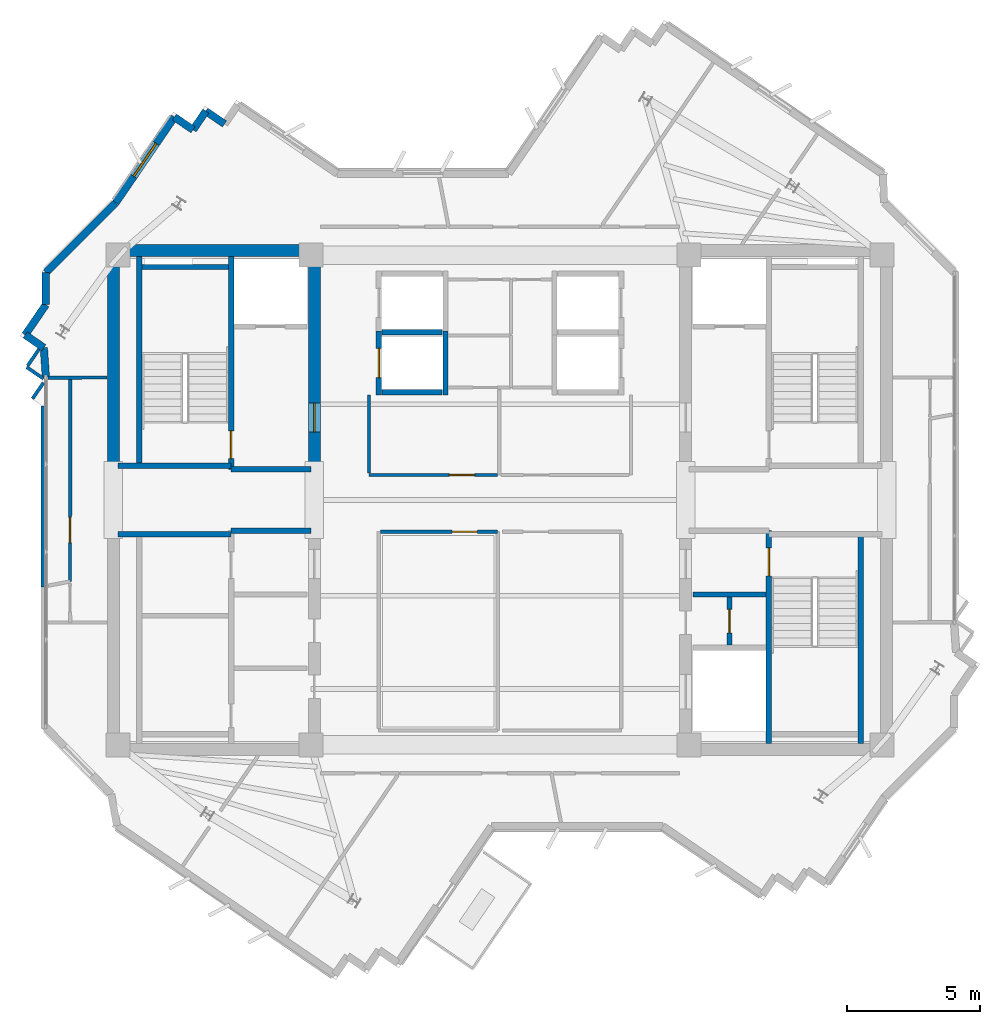
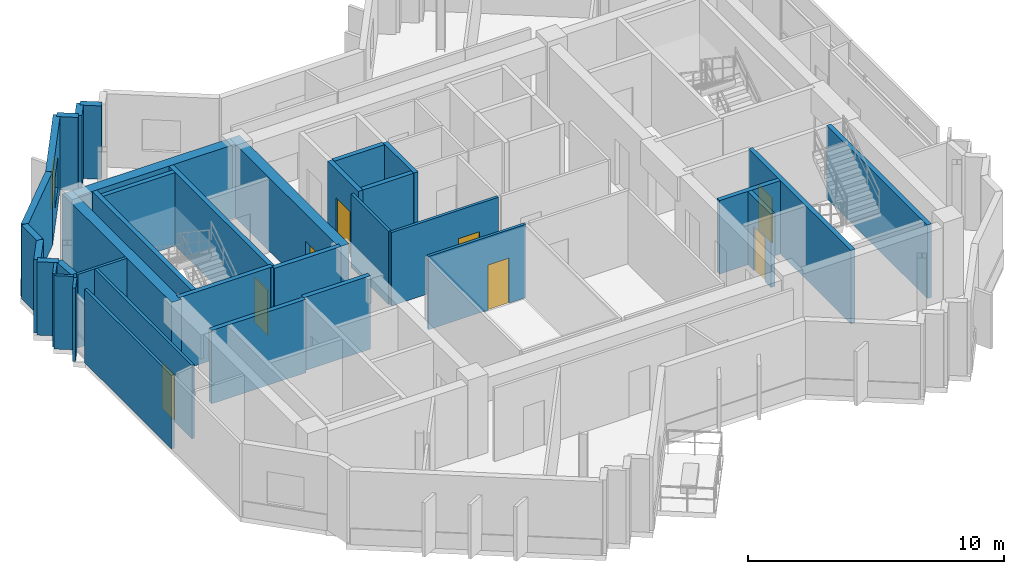
# One storey, part 6 of 11: 36 walls, 8 doors, 1 window, 9 openings.
"""IFC4 building model written with IfcOpenShell, lengths in metres."""

from ifc_helpers import new_model, si_unit, direction, frame, frame_2d, origin, place, context, subcontext, project, spatial, rectangle, extrude, source, transform, mapped, material, layer, layer_set, type_object, element, fill, save


model = new_model("IFC4")

# Units and contexts
model_context = context("Model", 3, precision=1e-05, world=origin(), true_north=direction((0.0, 1.0)))
body_context = subcontext(model_context, "Body", "Model", "MODEL_VIEW")
ifc_project = project(units=[si_unit("LENGTHUNIT", "METRE"), si_unit("AREAUNIT", "SQUARE_METRE"), si_unit("VOLUMEUNIT", "CUBIC_METRE"), si_unit("PLANEANGLEUNIT", "RADIAN"), si_unit("MASSUNIT", "GRAM", prefix="KILO")], contexts=[model_context])

# Site, building, storey
site_placement = place(None, origin())
site = spatial("IfcSite", under=ifc_project, at=site_placement, CompositionType="ELEMENT")
building_placement = place(site_placement, origin())
building = spatial("IfcBuilding", under=site, at=building_placement, Name="Zahravan Cultural Tower", CompositionType="ELEMENT")
storey_placement = place(building_placement, frame((0.0, 0.0, 338.550048828125)))
storey = spatial("IfcBuildingStorey", under=building, at=storey_placement, Name="L82", CompositionType="ELEMENT", Elevation=338.550048828125)

# Wall, opening, door
ifc_material_1 = material(Name="Concrete C50/60", Category="concrete")
ifc_layer_1 = layer(ifc_material_1, 0.449951171875)
ifc_layer_set_1 = layer_set([ifc_layer_1], Name="Concrete C50/60")
wall_type_1 = type_object("IfcWallType", Name="CW-SHEAR-450-C50", PredefinedType="SHEAR", material=ifc_layer_set_1)
wall_1_placement = place(storey_placement, frame((29.02490234375, 28.050048828125, 0.0), z_axis=(0.0, 0.0, 1.0), x_axis=(0.0, 1.0, 0.0)))
wall_1 = element("IfcWall", 1, at=wall_1_placement, inside=storey, type_object=wall_type_1, Name="L82 Core Shear Wall CW-W-EN-L82", PredefinedType="SHEAR", context=body_context, shape_type="SweptSolid", body=[
    extrude(rectangle(XDim=8.550048828125, YDim=0.449951171875, at=frame_2d((4.27490234375, 0.0))), origin(), (0.0, 0.0, 1.0), 3.5),
])
opening_1_placement = place(wall_1_placement, frame((1.5, 0.0, 0.0)))
opening_1 = element("IfcOpeningElement", 2, at=opening_1_placement, cuts=wall_1, Name="Opening D-L82-06", PredefinedType="OPENING", context=body_context, shape_type="SweptSolid", body=[
    extrude(rectangle(XDim=1.10009765625, YDim=2.199951171875, at=frame_2d((0.550048828125, 1.10009765625))), frame((0.0, 0.23486328125, 0.0), z_axis=(0.0, -1.0, 0.0), x_axis=(1.0, 0.0, 0.0)), (0.0, 0.0, 1.0), 0.469970703125),
])
ifc_material_2 = material(Name="Steel ASTM A572 Grade 50", Category="steel")
door_type_1 = type_object("IfcDoorType", Name="DR-LOBBY-1100", OperationType="NOTDEFINED", PredefinedType="DOOR", material=ifc_material_2)
shared_shape_1 = source(origin(), body_context, "Body", "SweptSolid", [
    extrude(rectangle(XDim=1.10009765625, YDim=2.199951171875, at=frame_2d((0.550048828125, 1.10009765625))), frame((0.0, 0.02490234375, 0.0), z_axis=(0.0, -1.0, 0.0), x_axis=(1.0, 0.0, 0.0)), (0.0, 0.0, 1.0), 0.050048828125),
])
door_1_placement = place(opening_1_placement, origin())
door_1 = element("IfcDoor", 3, at=door_1_placement, inside=storey, type_object=door_type_1, Name="L82 Door D-L82-06", OperationType="SINGLE_SWING_LEFT", OverallHeight=2.199951171875, OverallWidth=1.10009765625, PredefinedType="DOOR", context=body_context, shape_type="MappedRepresentation", body=[
    mapped(shared_shape_1, transform((0.0, 0.0, 0.0), x_axis=(1.0, 0.0, 0.0), y_axis=(0.0, 1.0, 0.0), z_axis=(0.0, 0.0, 1.0), scale=1.0)),
])
fill(opening_1, door_1)

# Wall, opening, window
ifc_material_3 = material(Name="Precast concrete C40/50", Category="concrete")
ifc_layer_2 = layer(ifc_material_3, 0.280029296875)
ifc_layer_set_2 = layer_set([ifc_layer_2], Name="Precast concrete C40/50")
wall_type_2 = type_object("IfcWallType", Name="EW-TC-280", PredefinedType="SOLIDWALL", material=ifc_layer_set_2)
wall_2_placement = place(storey_placement, frame((21.56298828125, 38.1650390625, 0.0), z_axis=(0.0, 0.0, 1.0), x_axis=(0.564961879511, 0.825117006672, 0.0)))
wall_2 = element("IfcWall", 4, at=wall_2_placement, inside=storey, type_object=wall_type_2, Name="L82 Exterior Masonry Frame Wall 07", PredefinedType="SOLIDWALL", context=body_context, shape_type="SweptSolid", body=[
    extrude(rectangle(XDim=3.90380859375, YDim=0.280029296875, at=frame_2d((1.951904296875, 0.0))), origin(), (0.0, 0.0, 1.0), 3.5),
])
opening_2_placement = place(wall_2_placement, frame((1.201904296875, 0.0, 0.85009765625)))
opening_2 = element("IfcOpeningElement", 5, at=opening_2_placement, cuts=wall_2, Name="Opening WN-03", PredefinedType="OPENING", context=body_context, shape_type="SweptSolid", body=[
    extrude(rectangle(XDim=1.5, YDim=1.5, at=frame_2d((0.75, 0.75))), frame((0.0, 0.14990234375, 0.0), z_axis=(0.0, -1.0, 0.0), x_axis=(1.0, 0.0, 0.0)), (0.0, 0.0, 1.0), 0.300048828125),
])
ifc_material_4 = material(Name="Low-E solar-control double glazing", Category="glass")
window_type = type_object("IfcWindowType", Name="WN-REC-1500X1500", PartitioningType="SINGLE_PANEL", PredefinedType="WINDOW", material=ifc_material_4)
shared_shape_2 = source(origin(), body_context, "Body", "SweptSolid", [
    extrude(rectangle(XDim=1.5, YDim=1.5, at=frame_2d((0.75, 0.75))), frame((0.0, 0.030029296875, 0.0), z_axis=(0.0, -1.0, 0.0), x_axis=(1.0, 0.0, 0.0)), (0.0, 0.0, 1.0), 0.06005859375),
])
window_placement = place(opening_2_placement, origin())
window = element("IfcWindow", 6, at=window_placement, inside=storey, type_object=window_type, Name="L82 Recessed Solar Window 02", OverallHeight=1.5, OverallWidth=1.5, PartitioningType="SINGLE_PANEL", PredefinedType="WINDOW", context=body_context, shape_type="MappedRepresentation", body=[
    mapped(shared_shape_2, transform((0.0, 0.0, 0.0), x_axis=(1.0, 0.0, 0.0), y_axis=(0.0, 1.0, 0.0), z_axis=(0.0, 0.0, 1.0), scale=1.0)),
])
fill(opening_2, window)

# Wall, opening, door
ifc_material_5 = material(Name="Gypsum plasterboard partition")
ifc_layer_3 = layer(ifc_material_5, 0.179931640625)
ifc_layer_set_3 = layer_set([ifc_layer_3], Name="Gypsum plasterboard partition")
wall_type_3 = type_object("IfcWallType", Name="W-COMP-180", PredefinedType="PARTITIONING", material=ifc_layer_set_3)
wall_3_placement = place(storey_placement, frame((44.6201171875, 21.550048828125, 0.0), z_axis=(0.0, 0.0, 1.0), x_axis=(0.0, 1.0, 0.0)))
wall_3 = element("IfcWall", 7, at=wall_3_placement, inside=storey, type_object=wall_type_3, Name="L82 Interior Wall 028", PredefinedType="PARTITIONING", context=body_context, shape_type="SweptSolid", body=[
    extrude(rectangle(XDim=1.800048828125, YDim=0.179931640625, at=frame_2d((0.89990234375, 0.0))), origin(), (0.0, 0.0, 1.0), 3.5),
])
opening_3_placement = place(wall_3_placement, frame((0.4599609375, 0.0, 0.0)))
opening_3 = element("IfcOpeningElement", 8, at=opening_3_placement, cuts=wall_3, Name="Opening D-L82-13", PredefinedType="OPENING", context=body_context, shape_type="SweptSolid", body=[
    extrude(rectangle(XDim=0.8798828125, YDim=2.10009765625, at=frame_2d((0.43994140625, 1.050048828125))), frame((0.0, 0.099853515625, 0.0), z_axis=(0.0, -1.0, 0.0), x_axis=(1.0, 0.0, 0.0)), (0.0, 0.0, 1.0), 0.199951171875),
])
door_type_2 = type_object("IfcDoorType", Name="DR-SVC-880", OperationType="NOTDEFINED", PredefinedType="DOOR", material=ifc_material_2)
shared_shape_3 = source(origin(), body_context, "Body", "SweptSolid", [
    extrude(rectangle(XDim=0.8798828125, YDim=2.10009765625, at=frame_2d((0.43994140625, 1.050048828125))), frame((0.0, 0.02490234375, 0.0), z_axis=(0.0, -1.0, 0.0), x_axis=(1.0, 0.0, 0.0)), (0.0, 0.0, 1.0), 0.050048828125),
])
door_2_placement = place(opening_3_placement, origin())
door_2 = element("IfcDoor", 9, at=door_2_placement, inside=storey, type_object=door_type_2, Name="L82 Door D-L82-13", OperationType="SINGLE_SWING_RIGHT", OverallHeight=2.10009765625, OverallWidth=0.8798828125, PredefinedType="DOOR", context=body_context, shape_type="MappedRepresentation", body=[
    mapped(shared_shape_3, transform((0.0, 0.0, 0.0), x_axis=(1.0, 0.0, 0.0), y_axis=(0.0, 1.0, 0.0), z_axis=(0.0, 0.0, 1.0), scale=1.0)),
])
fill(opening_3, door_2)

ifc_layer_4 = layer(ifc_material_5, 0.125)
ifc_layer_set_4 = layer_set([ifc_layer_4], Name="Gypsum plasterboard partition")
wall_type_4 = type_object("IfcWallType", Name="W-PART-125", PredefinedType="PARTITIONING", material=ifc_layer_set_4)
wall_4_placement = place(storey_placement, frame((35.902587890625, 27.93994140625, 0.0), z_axis=(0.0, 0.0, 1.0), x_axis=(-1.0, 0.0, 0.0)))
wall_4 = element("IfcWall", 10, at=wall_4_placement, inside=storey, type_object=wall_type_4, Name="L82 Interior Wall 051", PredefinedType="PARTITIONING", context=body_context, shape_type="SweptSolid", body=[
    extrude(rectangle(XDim=4.822509765625, YDim=0.125, at=frame_2d((2.4111328125, 0.0))), origin(), (0.0, 0.0, 1.0), 3.5),
])
opening_4_placement = place(wall_4_placement, frame((0.85205078125, 0.0, 0.0)))
opening_4 = element("IfcOpeningElement", 11, at=opening_4_placement, cuts=wall_4, Name="Opening D-L82-18", PredefinedType="OPENING", context=body_context, shape_type="SweptSolid", body=[
    extrude(rectangle(XDim=0.949951171875, YDim=2.14990234375, at=frame_2d((0.47509765625, 1.074951171875))), frame((0.0, 0.072509765625, 0.0), z_axis=(0.0, -1.0, 0.0), x_axis=(1.0, 0.0, 0.0)), (0.0, 0.0, 1.0), 0.14501953125),
])
ifc_material_6 = material(Name="Anodised bronze-aluminium mullion", Category="aluminium")
door_type_3 = type_object("IfcDoorType", Name="DR-ROOM-950", OperationType="NOTDEFINED", PredefinedType="DOOR", material=ifc_material_6)
shared_shape_4 = source(origin(), body_context, "Body", "SweptSolid", [
    extrude(rectangle(XDim=0.949951171875, YDim=2.14990234375, at=frame_2d((0.47509765625, 1.074951171875))), frame((0.0, 0.02490234375, 0.0), z_axis=(0.0, -1.0, 0.0), x_axis=(1.0, 0.0, 0.0)), (0.0, 0.0, 1.0), 0.050048828125),
])
door_3_placement = place(opening_4_placement, origin())
door_3 = element("IfcDoor", 12, at=door_3_placement, inside=storey, type_object=door_type_3, Name="L82 Door D-L82-18", OperationType="SINGLE_SWING_LEFT", OverallHeight=2.14990234375, OverallWidth=0.949951171875, PredefinedType="DOOR", context=body_context, shape_type="MappedRepresentation", body=[
    mapped(shared_shape_4, transform((0.0, 0.0, 0.0), x_axis=(1.0, 0.0, 0.0), y_axis=(0.0, 1.0, 0.0), z_axis=(0.0, 0.0, 1.0), scale=1.0)),
])
fill(opening_4, door_3)

wall_5_placement = place(storey_placement, frame((19.8525390625, 31.530029296875, 0.0), z_axis=(0.0, 0.0, 1.0), x_axis=(-0.000321574412, -0.999999948295, 0.0)))
wall_5 = element("IfcWall", 13, at=wall_5_placement, inside=storey, type_object=wall_type_4, Name="L82 Interior Wall 063", PredefinedType="PARTITIONING", context=body_context, shape_type="SweptSolid", body=[
    extrude(rectangle(XDim=7.592041015625, YDim=0.125, at=frame_2d((3.7958984375, 0.0))), origin(), (0.0, 0.0, 1.0), 3.5),
])
opening_5_placement = place(wall_5_placement, frame((5.180908203125, 0.0, 0.0)))
opening_5 = element("IfcOpeningElement", 14, at=opening_5_placement, cuts=wall_5, Name="Opening D-L82-24", PredefinedType="OPENING", context=body_context, shape_type="SweptSolid", body=[
    extrude(rectangle(XDim=0.949951171875, YDim=2.14990234375, at=frame_2d((0.47509765625, 1.074951171875))), frame((0.0, 0.072509765625, 0.0), z_axis=(0.0, -1.0, 0.0), x_axis=(1.0, 0.0, 0.0)), (0.0, 0.0, 1.0), 0.14501953125),
])
door_4_placement = place(opening_5_placement, origin())
door_4 = element("IfcDoor", 15, at=door_4_placement, inside=storey, type_object=door_type_3, Name="L82 Door D-L82-24", OperationType="SINGLE_SWING_LEFT", OverallHeight=2.14990234375, OverallWidth=0.949951171875, PredefinedType="DOOR", context=body_context, shape_type="MappedRepresentation", body=[
    mapped(shared_shape_4, transform((0.0, 0.0, 0.0), x_axis=(1.0, 0.0, 0.0), y_axis=(0.0, 1.0, 0.0), z_axis=(0.0, 0.0, 1.0), scale=1.0)),
])
fill(opening_5, door_4)

wall_6_placement = place(storey_placement, frame((31.507568359375, 25.81005859375, 0.0), z_axis=(0.0, 0.0, 1.0), x_axis=(1.0, 0.0, 0.0)))
wall_6 = element("IfcWall", 16, at=wall_6_placement, inside=storey, type_object=wall_type_4, Name="L82 Interior Wall 085", PredefinedType="PARTITIONING", context=body_context, shape_type="SweptSolid", body=[
    extrude(rectangle(XDim=4.40234375, YDim=0.125, at=frame_2d((2.201171875, 0.0))), origin(), (0.0, 0.0, 1.0), 3.5),
])
opening_6_placement = place(wall_6_placement, frame((2.69287109375, 0.0, 0.0)))
opening_6 = element("IfcOpeningElement", 17, at=opening_6_placement, cuts=wall_6, Name="Opening D-L82-14", PredefinedType="OPENING", context=body_context, shape_type="SweptSolid", body=[
    extrude(rectangle(XDim=0.949951171875, YDim=2.14990234375, at=frame_2d((0.47509765625, 1.074951171875))), frame((0.0, 0.072509765625, 0.0), z_axis=(0.0, -1.0, 0.0), x_axis=(1.0, 0.0, 0.0)), (0.0, 0.0, 1.0), 0.14501953125),
])
door_5_placement = place(opening_6_placement, origin())
door_5 = element("IfcDoor", 18, at=door_5_placement, inside=storey, type_object=door_type_3, Name="L82 Door D-L82-14", OperationType="SINGLE_SWING_LEFT", OverallHeight=2.14990234375, OverallWidth=0.949951171875, PredefinedType="DOOR", context=body_context, shape_type="MappedRepresentation", body=[
    mapped(shared_shape_4, transform((0.0, 0.0, 0.0), x_axis=(1.0, 0.0, 0.0), y_axis=(0.0, 1.0, 0.0), z_axis=(0.0, 0.0, 1.0), scale=1.0)),
])
fill(opening_6, door_5)

ifc_material_7 = material(Name="Concrete C45/55", Category="concrete")
ifc_layer_5 = layer(ifc_material_7, 0.199951171875)
ifc_layer_set_5 = layer_set([ifc_layer_5], Name="Concrete C45/55")
wall_type_5 = type_object("IfcWallType", Name="W-SHAFT-200", PredefinedType="SOLIDWALL", material=ifc_layer_set_5)
wall_7_placement = place(storey_placement, frame((25.89990234375, 28.14990234375, 0.0), z_axis=(0.0, 0.0, 1.0), x_axis=(0.0, 1.0, 0.0)))
wall_7 = element("IfcWall", 19, at=wall_7_placement, inside=storey, type_object=wall_type_5, Name="L82 Interior Wall 006", PredefinedType="SOLIDWALL", context=body_context, shape_type="SweptSolid", body=[
    extrude(rectangle(XDim=8.0, YDim=0.199951171875, at=frame_2d((4.0, 0.0))), origin(), (0.0, 0.0, 1.0), 3.5),
])
opening_7_placement = place(wall_7_placement, frame((0.39990234375, 0.0, 0.0)))
opening_7 = element("IfcOpeningElement", 20, at=opening_7_placement, cuts=wall_7, Name="Opening D-L82-01", PredefinedType="OPENING", context=body_context, shape_type="SweptSolid", body=[
    extrude(rectangle(XDim=1.050048828125, YDim=2.14990234375, at=frame_2d((0.52490234375, 1.074951171875))), frame((0.0, 0.10986328125, 0.0), z_axis=(0.0, -1.0, 0.0), x_axis=(1.0, 0.0, 0.0)), (0.0, 0.0, 1.0), 0.219970703125),
])
door_type_4 = type_object("IfcDoorType", Name="DR-STAIR-1050", OperationType="NOTDEFINED", PredefinedType="DOOR", material=ifc_material_2)
shared_shape_5 = source(origin(), body_context, "Body", "SweptSolid", [
    extrude(rectangle(XDim=1.050048828125, YDim=2.14990234375, at=frame_2d((0.52490234375, 1.074951171875))), frame((0.0, 0.02490234375, 0.0), z_axis=(0.0, -1.0, 0.0), x_axis=(1.0, 0.0, 0.0)), (0.0, 0.0, 1.0), 0.050048828125),
])
door_6_placement = place(opening_7_placement, origin())
door_6 = element("IfcDoor", 21, at=door_6_placement, inside=storey, type_object=door_type_4, Name="L82 Door D-L82-01", OperationType="SINGLE_SWING_RIGHT", OverallHeight=2.14990234375, OverallWidth=1.050048828125, PredefinedType="DOOR", context=body_context, shape_type="MappedRepresentation", body=[
    mapped(shared_shape_5, transform((0.0, 0.0, 0.0), x_axis=(1.0, 0.0, 0.0), y_axis=(0.0, 1.0, 0.0), z_axis=(0.0, 0.0, 1.0), scale=1.0)),
])
fill(opening_7, door_6)

wall_8_placement = place(storey_placement, frame((46.10009765625, 17.85009765625, 0.0), z_axis=(0.0, 0.0, 1.0), x_axis=(0.0, 1.0, 0.0)))
wall_8 = element("IfcWall", 22, at=wall_8_placement, inside=storey, type_object=wall_type_5, Name="L82 Interior Wall 007", PredefinedType="SOLIDWALL", context=body_context, shape_type="SweptSolid", body=[
    extrude(rectangle(XDim=8.0, YDim=0.199951171875, at=frame_2d((4.0, 0.0))), origin(), (0.0, 0.0, 1.0), 3.5),
])
opening_8_placement = place(wall_8_placement, frame((6.300048828125, 0.0, 0.0)))
opening_8 = element("IfcOpeningElement", 23, at=opening_8_placement, cuts=wall_8, Name="Opening D-L82-03", PredefinedType="OPENING", context=body_context, shape_type="SweptSolid", body=[
    extrude(rectangle(XDim=1.050048828125, YDim=2.14990234375, at=frame_2d((0.52490234375, 1.074951171875))), frame((0.0, 0.10986328125, 0.0), z_axis=(0.0, -1.0, 0.0), x_axis=(1.0, 0.0, 0.0)), (0.0, 0.0, 1.0), 0.219970703125),
])
door_7_placement = place(opening_8_placement, origin())
door_7 = element("IfcDoor", 24, at=door_7_placement, inside=storey, type_object=door_type_4, Name="L82 Door D-L82-03", OperationType="SINGLE_SWING_RIGHT", OverallHeight=2.14990234375, OverallWidth=1.050048828125, PredefinedType="DOOR", context=body_context, shape_type="MappedRepresentation", body=[
    mapped(shared_shape_5, transform((0.0, 0.0, 0.0), x_axis=(1.0, 0.0, 0.0), y_axis=(0.0, 1.0, 0.0), z_axis=(0.0, 0.0, 1.0), scale=1.0)),
])
fill(opening_8, door_7)

wall_9_placement = place(storey_placement, frame((31.449951171875, 30.949951171875, 0.0), z_axis=(0.0, 0.0, 1.0), x_axis=(0.0, 1.0, 0.0)))
wall_9 = element("IfcWall", 25, at=wall_9_placement, inside=storey, type_object=wall_type_5, Name="L82 Interior Wall 033", PredefinedType="SOLIDWALL", context=body_context, shape_type="SweptSolid", body=[
    extrude(rectangle(XDim=2.400146484375, YDim=0.199951171875, at=frame_2d((1.2001953125, 0.0))), origin(), (0.0, 0.0, 1.0), 3.5),
])
opening_9_placement = place(wall_9_placement, frame((0.64990234375, 0.0, 0.0)))
opening_9 = element("IfcOpeningElement", 26, at=opening_9_placement, cuts=wall_9, Name="Opening LD-L82-05", PredefinedType="OPENING", context=body_context, shape_type="SweptSolid", body=[
    extrude(rectangle(XDim=1.10009765625, YDim=2.14990234375, at=frame_2d((0.550048828125, 1.074951171875))), frame((0.0, 0.10986328125, 0.0), z_axis=(0.0, -1.0, 0.0), x_axis=(1.0, 0.0, 0.0)), (0.0, 0.0, 1.0), 0.219970703125),
])
door_type_5 = type_object("IfcDoorType", Name="DR-LIFT-1100", OperationType="DOUBLE_DOOR_SLIDING", PredefinedType="DOOR", material=ifc_material_2)
shared_shape_6 = source(origin(), body_context, "Body", "SweptSolid", [
    extrude(rectangle(XDim=1.10009765625, YDim=2.14990234375, at=frame_2d((0.550048828125, 1.074951171875))), frame((0.0, 0.02490234375, 0.0), z_axis=(0.0, -1.0, 0.0), x_axis=(1.0, 0.0, 0.0)), (0.0, 0.0, 1.0), 0.050048828125),
])
door_8_placement = place(opening_9_placement, origin())
door_8 = element("IfcDoor", 27, at=door_8_placement, inside=storey, type_object=door_type_5, Name="L82 Door LD-L82-05", OperationType="DOUBLE_DOOR_SLIDING", OverallHeight=2.14990234375, OverallWidth=1.10009765625, PredefinedType="DOOR", context=body_context, shape_type="MappedRepresentation", body=[
    mapped(shared_shape_6, transform((0.0, 0.0, 0.0), x_axis=(1.0, 0.0, 0.0), y_axis=(0.0, 1.0, 0.0), z_axis=(0.0, 0.0, 1.0), scale=1.0)),
])
fill(opening_9, door_8)

# Walls
shared_shape_7 = source(origin(), body_context, "Body", "SweptSolid", [
    extrude(rectangle(XDim=8.550048828125, YDim=0.449951171875, at=frame_2d((4.27490234375, 0.0))), origin(), (0.0, 0.0, 1.0), 3.5),
])
wall_10_placement = place(storey_placement, frame((21.47509765625, 28.050048828125, 0.0), z_axis=(0.0, 0.0, 1.0), x_axis=(0.0, 1.0, 0.0)))
element("IfcWall", 28, at=wall_10_placement, inside=storey, type_object=wall_type_1, Name="L82 Core Shear Wall CW-W-WN-L82", PredefinedType="SHEAR", context=body_context, shape_type="MappedRepresentation", body=[
    mapped(shared_shape_7, transform((0.0, 0.0, 0.0), x_axis=(1.0, 0.0, 0.0), y_axis=(0.0, 1.0, 0.0), z_axis=(0.0, 0.0, 1.0), scale=1.0)),
])
shared_shape_8 = source(origin(), body_context, "Body", "SweptSolid", [
    extrude(rectangle(XDim=7.10009765625, YDim=0.449951171875, at=frame_2d((3.550048828125, 0.0))), origin(), (0.0, 0.0, 1.0), 3.5),
])
wall_11_placement = place(storey_placement, frame((21.699951171875, 36.375, 0.0), z_axis=(0.0, 0.0, 1.0), x_axis=(1.0, 0.0, 0.0)))
element("IfcWall", 29, at=wall_11_placement, inside=storey, type_object=wall_type_1, Name="L82 Core Shear Wall CW-W-N-L82", PredefinedType="SHEAR", context=body_context, shape_type="MappedRepresentation", body=[
    mapped(shared_shape_8, transform((0.0, 0.0, 0.0), x_axis=(1.0, 0.0, 0.0), y_axis=(0.0, 1.0, 0.0), z_axis=(0.0, 0.0, 1.0), scale=1.0)),
])
shared_shape_9 = source(origin(), body_context, "Body", "SweptSolid", [
    extrude(rectangle(XDim=0.85009765625, YDim=0.280029296875, at=frame_2d((0.425048828125, 0.0))), origin(), (0.0, 0.0, 1.0), 3.5),
])
for number, where, z_axis, x_axis, name in (
    (30, (23.7685546875, 41.38623046875, 0.0), (0.0, 0.0, 1.0), (0.825138153006, -0.564930994418, 0.0), "L82 Exterior Masonry Frame Wall 08"),
    (31, (24.469970703125, 40.906005859375, 0.0), (0.0, 0.0, 1.0), (0.564930994418, 0.825138153006, 0.0), "L82 Exterior Masonry Frame Wall 09"),
    (32, (24.9501953125, 41.607421875, 0.0), (0.0, 0.0, 1.0), (0.825138153006, -0.564930994418, 0.0), "L82 Exterior Masonry Frame Wall 10"),
):
    element("IfcWall", number, at=place(storey_placement, frame(where, z_axis=z_axis, x_axis=x_axis)), inside=storey, type_object=wall_type_2, Name=name, PredefinedType="SOLIDWALL", context=body_context, shape_type="MappedRepresentation", body=[
        mapped(shared_shape_9, transform((0.0, 0.0, 0.0), x_axis=(1.0, 0.0, 0.0), y_axis=(0.0, 1.0, 0.0), z_axis=(0.0, 0.0, 1.0), scale=1.0)),
    ])
shared_shape_10 = source(origin(), body_context, "Body", "SweptSolid", [
    extrude(rectangle(XDim=0.849853515625, YDim=0.280029296875, at=frame_2d((0.4248046875, 0.0))), origin(), (0.0, 0.0, 1.0), 3.5),
])
wall_12_placement = place(storey_placement, frame((18.865478515625, 32.720947265625, 0.0), z_axis=(0.0, 0.0, 1.0), x_axis=(-0.825046459993, 0.565064897913, 0.0)))
element("IfcWall", 33, at=wall_12_placement, inside=storey, type_object=wall_type_2, Name="L82 Exterior Masonry Frame Wall 03", PredefinedType="SOLIDWALL", context=body_context, shape_type="MappedRepresentation", body=[
    mapped(shared_shape_10, transform((0.0, 0.0, 0.0), x_axis=(1.0, 0.0, 0.0), y_axis=(0.0, 1.0, 0.0), z_axis=(0.0, 0.0, 1.0), scale=1.0)),
])
shared_shape_11 = source(origin(), body_context, "Body", "SweptSolid", [
    extrude(rectangle(XDim=1.08349609375, YDim=0.280029296875, at=frame_2d((0.541748046875, 0.0))), origin(), (0.0, 0.0, 1.0), 3.5),
])
wall_13_placement = place(storey_placement, frame((18.93994140625, 31.639892578125, 0.0), z_axis=(0.0, 0.0, 1.0), x_axis=(-0.068717036618, 0.997636190642, 0.0)))
element("IfcWall", 34, at=wall_13_placement, inside=storey, type_object=wall_type_2, Name="L82 Exterior Masonry Frame Wall 02", PredefinedType="SOLIDWALL", context=body_context, shape_type="MappedRepresentation", body=[
    mapped(shared_shape_11, transform((0.0, 0.0, 0.0), x_axis=(1.0, 0.0, 0.0), y_axis=(0.0, 1.0, 0.0), z_axis=(0.0, 0.0, 1.0), scale=1.0)),
])
shared_shape_12 = source(origin(), body_context, "Body", "SweptSolid", [
    extrude(rectangle(XDim=1.373046875, YDim=0.280029296875, at=frame_2d((0.6865234375, 0.0))), origin(), (0.0, 0.0, 1.0), 3.5),
])
wall_14_placement = place(storey_placement, frame((18.164306640625, 33.201171875, 0.0), z_axis=(0.0, 0.0, 1.0), x_axis=(0.564875120833, 0.825176404088, 0.0)))
element("IfcWall", 35, at=wall_14_placement, inside=storey, type_object=wall_type_2, Name="L82 Exterior Masonry Frame Wall 04", PredefinedType="SOLIDWALL", context=body_context, shape_type="MappedRepresentation", body=[
    mapped(shared_shape_12, transform((0.0, 0.0, 0.0), x_axis=(1.0, 0.0, 0.0), y_axis=(0.0, 1.0, 0.0), z_axis=(0.0, 0.0, 1.0), scale=1.0)),
])
shared_shape_13 = source(origin(), body_context, "Body", "SweptSolid", [
    extrude(rectangle(XDim=1.207763671875, YDim=0.280029296875, at=frame_2d((0.60400390625, 0.0))), origin(), (0.0, 0.0, 1.0), 3.5),
])
wall_15_placement = place(storey_placement, frame((18.93994140625, 34.334228515625, 0.0), z_axis=(0.0, 0.0, 1.0), x_axis=(0.0, 1.0, 0.0)))
element("IfcWall", 36, at=wall_15_placement, inside=storey, type_object=wall_type_2, Name="L82 Exterior Masonry Frame Wall 05", PredefinedType="SOLIDWALL", context=body_context, shape_type="MappedRepresentation", body=[
    mapped(shared_shape_13, transform((0.0, 0.0, 0.0), x_axis=(1.0, 0.0, 0.0), y_axis=(0.0, 1.0, 0.0), z_axis=(0.0, 0.0, 1.0), scale=1.0)),
])
shared_shape_14 = source(origin(), body_context, "Body", "SweptSolid", [
    extrude(rectangle(XDim=3.70947265625, YDim=0.280029296875, at=frame_2d((1.854736328125, 0.0))), origin(), (0.0, 0.0, 1.0), 3.5),
])
wall_16_placement = place(storey_placement, frame((18.93994140625, 35.5419921875, 0.0), z_axis=(0.0, 0.0, 1.0), x_axis=(0.707106781187, 0.707106781187, 0.0)))
element("IfcWall", 37, at=wall_16_placement, inside=storey, type_object=wall_type_2, Name="L82 Exterior Masonry Frame Wall 06", PredefinedType="SOLIDWALL", context=body_context, shape_type="MappedRepresentation", body=[
    mapped(shared_shape_14, transform((0.0, 0.0, 0.0), x_axis=(1.0, 0.0, 0.0), y_axis=(0.0, 1.0, 0.0), z_axis=(0.0, 0.0, 1.0), scale=1.0)),
])
shared_shape_15 = source(origin(), body_context, "Body", "SweptSolid", [
    extrude(rectangle(XDim=7.869873046875, YDim=0.199951171875, at=frame_2d((3.93505859375, 0.0))), origin(), (0.0, 0.0, 1.0), 3.5),
])
for number, where, z_axis, x_axis, name in (
    (38, (22.449951171875, 28.280029296875, 0.0), (0.0, 0.0, 1.0), (0.0, 1.0, 0.0), "L82 Interior Wall 002"),
    (39, (49.550048828125, 17.85009765625, 0.0), (0.0, 0.0, 1.0), (0.0, 1.0, 0.0), "L82 Interior Wall 003"),
):
    element("IfcWall", number, at=place(storey_placement, frame(where, z_axis=z_axis, x_axis=x_axis)), inside=storey, type_object=wall_type_5, Name=name, PredefinedType="SOLIDWALL", context=body_context, shape_type="MappedRepresentation", body=[
        mapped(shared_shape_15, transform((0.0, 0.0, 0.0), x_axis=(1.0, 0.0, 0.0), y_axis=(0.0, 1.0, 0.0), z_axis=(0.0, 0.0, 1.0), scale=1.0)),
    ])
shared_shape_16 = source(origin(), body_context, "Body", "SweptSolid", [
    extrude(rectangle(XDim=4.25, YDim=0.199951171875, at=frame_2d((2.125, 0.0))), origin(), (0.0, 0.0, 1.0), 3.5),
])
for number, where, z_axis, x_axis, name in (
    (40, (21.64990234375, 25.715087890625, 0.0), (0.0, 0.0, 1.0), (1.0, 0.0, 0.0), "L82 Interior Wall 009"),
    (41, (21.64990234375, 28.284912109375, 0.0), (0.0, 0.0, 1.0), (1.0, 0.0, 0.0), "L82 Interior Wall 011"),
):
    element("IfcWall", number, at=place(storey_placement, frame(where, z_axis=z_axis, x_axis=x_axis)), inside=storey, type_object=wall_type_5, Name=name, PredefinedType="SOLIDWALL", context=body_context, shape_type="MappedRepresentation", body=[
        mapped(shared_shape_16, transform((0.0, 0.0, 0.0), x_axis=(1.0, 0.0, 0.0), y_axis=(0.0, 1.0, 0.0), z_axis=(0.0, 0.0, 1.0), scale=1.0)),
    ])
shared_shape_17 = source(origin(), body_context, "Body", "SweptSolid", [
    extrude(rectangle(XDim=3.0, YDim=0.199951171875, at=frame_2d((1.5, 0.0))), origin(), (0.0, 0.0, 1.0), 3.5),
])
for number, where, z_axis, x_axis, name in (
    (42, (25.89990234375, 25.85009765625, 0.0), (0.0, 0.0, 1.0), (1.0, 0.0, 0.0), "L82 Interior Wall 010"),
    (43, (25.89990234375, 28.14990234375, 0.0), (0.0, 0.0, 1.0), (1.0, 0.0, 0.0), "L82 Interior Wall 012"),
):
    element("IfcWall", number, at=place(storey_placement, frame(where, z_axis=z_axis, x_axis=x_axis)), inside=storey, type_object=wall_type_5, Name=name, PredefinedType="SOLIDWALL", context=body_context, shape_type="MappedRepresentation", body=[
        mapped(shared_shape_17, transform((0.0, 0.0, 0.0), x_axis=(1.0, 0.0, 0.0), y_axis=(0.0, 1.0, 0.0), z_axis=(0.0, 0.0, 1.0), scale=1.0)),
    ])
shared_shape_18 = source(origin(), body_context, "Body", "SweptSolid", [
    extrude(rectangle(XDim=3.25, YDim=0.199951171875, at=frame_2d((1.625, 0.0))), origin(), (0.0, 0.0, 1.0), 3.5),
])
wall_17_placement = place(storey_placement, frame((22.550048828125, 35.75, 0.0), z_axis=(0.0, 0.0, 1.0), x_axis=(1.0, 0.0, 0.0)))
element("IfcWall", 44, at=wall_17_placement, inside=storey, type_object=wall_type_5, Name="L82 Interior Wall 017", PredefinedType="SOLIDWALL", context=body_context, shape_type="MappedRepresentation", body=[
    mapped(shared_shape_18, transform((0.0, 0.0, 0.0), x_axis=(1.0, 0.0, 0.0), y_axis=(0.0, 1.0, 0.0), z_axis=(0.0, 0.0, 1.0), scale=1.0)),
])
shared_shape_19 = source(origin(), body_context, "Body", "SweptSolid", [
    extrude(rectangle(XDim=2.75, YDim=0.199951171875, at=frame_2d((1.375, 0.0))), origin(), (0.0, 0.0, 1.0), 3.5),
])
wall_18_placement = place(storey_placement, frame((43.25, 23.449951171875, 0.0), z_axis=(0.0, 0.0, 1.0), x_axis=(1.0, 0.0, 0.0)))
element("IfcWall", 45, at=wall_18_placement, inside=storey, type_object=wall_type_5, Name="L82 Interior Wall 025", PredefinedType="SOLIDWALL", context=body_context, shape_type="MappedRepresentation", body=[
    mapped(shared_shape_19, transform((0.0, 0.0, 0.0), x_axis=(1.0, 0.0, 0.0), y_axis=(0.0, 1.0, 0.0), z_axis=(0.0, 0.0, 1.0), scale=1.0)),
])
shared_shape_20 = source(origin(), body_context, "Body", "SweptSolid", [
    extrude(rectangle(XDim=2.400146484375, YDim=0.199951171875, at=frame_2d((1.2001953125, 0.0))), origin(), (0.0, 0.0, 1.0), 3.5),
])
wall_19_placement = place(storey_placement, frame((33.949951171875, 30.949951171875, 0.0), z_axis=(0.0, 0.0, 1.0), x_axis=(0.0, 1.0, 0.0)))
element("IfcWall", 46, at=wall_19_placement, inside=storey, type_object=wall_type_5, Name="L82 Interior Wall 034", PredefinedType="SOLIDWALL", context=body_context, shape_type="MappedRepresentation", body=[
    mapped(shared_shape_20, transform((0.0, 0.0, 0.0), x_axis=(1.0, 0.0, 0.0), y_axis=(0.0, 1.0, 0.0), z_axis=(0.0, 0.0, 1.0), scale=1.0)),
])
shared_shape_21 = source(origin(), body_context, "Body", "SweptSolid", [
    extrude(rectangle(XDim=2.260009765625, YDim=0.199951171875, at=frame_2d((1.1298828125, 0.0))), origin(), (0.0, 0.0, 1.0), 3.5),
])
for number, where, z_axis, x_axis, name in (
    (47, (31.570068359375, 33.300048828125, 0.0), (0.0, 0.0, 1.0), (1.0, 0.0, 0.0), "L82 Interior Wall 031"),
    (48, (31.570068359375, 31.050048828125, 0.0), (0.0, 0.0, 1.0), (1.0, 0.0, 0.0), "L82 Interior Wall 035"),
):
    element("IfcWall", number, at=place(storey_placement, frame(where, z_axis=z_axis, x_axis=x_axis)), inside=storey, type_object=wall_type_5, Name=name, PredefinedType="SOLIDWALL", context=body_context, shape_type="MappedRepresentation", body=[
        mapped(shared_shape_21, transform((0.0, 0.0, 0.0), x_axis=(1.0, 0.0, 0.0), y_axis=(0.0, 1.0, 0.0), z_axis=(0.0, 0.0, 1.0), scale=1.0)),
    ])
shared_shape_22 = source(origin(), body_context, "Body", "SweptSolid", [
    extrude(rectangle(XDim=2.9423828125, YDim=0.125, at=frame_2d((1.47119140625, 0.0))), origin(), (0.0, 0.0, 1.0), 3.5),
])
wall_20_placement = place(storey_placement, frame((31.080078125, 28.007568359375, 0.0), z_axis=(0.0, 0.0, 1.0), x_axis=(0.0, 1.0, 0.0)))
element("IfcWall", 49, at=wall_20_placement, inside=storey, type_object=wall_type_4, Name="L82 Interior Wall 052", PredefinedType="PARTITIONING", context=body_context, shape_type="MappedRepresentation", body=[
    mapped(shared_shape_22, transform((0.0, 0.0, 0.0), x_axis=(1.0, 0.0, 0.0), y_axis=(0.0, 1.0, 0.0), z_axis=(0.0, 0.0, 1.0), scale=1.0)),
])
shared_shape_23 = source(origin(), body_context, "Body", "SweptSolid", [
    extrude(rectangle(XDim=2.215087890625, YDim=0.125, at=frame_2d((1.107421875, 0.0))), origin(), (0.0, 0.0, 1.0), 3.5),
])
wall_21_placement = place(storey_placement, frame((21.2451171875, 31.599853515625, 0.0), z_axis=(0.0, 0.0, 1.0), x_axis=(-0.999998633374, -0.001653254657, 0.0)))
element("IfcWall", 50, at=wall_21_placement, inside=storey, type_object=wall_type_4, Name="L82 Interior Wall 062", PredefinedType="PARTITIONING", context=body_context, shape_type="MappedRepresentation", body=[
    mapped(shared_shape_23, transform((0.0, 0.0, 0.0), x_axis=(1.0, 0.0, 0.0), y_axis=(0.0, 1.0, 0.0), z_axis=(0.0, 0.0, 1.0), scale=1.0)),
])
shared_shape_24 = source(origin(), body_context, "Body", "SweptSolid", [
    extrude(rectangle(XDim=0.75732421875, YDim=0.125, at=frame_2d((0.378662109375, 0.0))), origin(), (0.0, 0.0, 1.0), 3.5),
])
wall_22_placement = place(storey_placement, frame((18.256591796875, 32.0439453125, 0.0), z_axis=(0.0, 0.0, 1.0), x_axis=(0.564406554972, 0.825496965896, 0.0)))
element("IfcWall", 51, at=wall_22_placement, inside=storey, type_object=wall_type_4, Name="L82 Interior Wall 068", PredefinedType="PARTITIONING", context=body_context, shape_type="MappedRepresentation", body=[
    mapped(shared_shape_24, transform((0.0, 0.0, 0.0), x_axis=(1.0, 0.0, 0.0), y_axis=(0.0, 1.0, 0.0), z_axis=(0.0, 0.0, 1.0), scale=1.0)),
])
shared_shape_25 = source(origin(), body_context, "Body", "SweptSolid", [
    extrude(rectangle(XDim=6.794677734375, YDim=0.125, at=frame_2d((3.3974609375, 0.0))), origin(), (0.0, 0.0, 1.0), 3.5),
])
wall_23_placement = place(storey_placement, frame((18.820068359375, 23.740234375, 0.0), z_axis=(0.0, 0.0, 1.0), x_axis=(-7.1862312e-05, 0.999999997418, 0.0)))
element("IfcWall", 52, at=wall_23_placement, inside=storey, type_object=wall_type_4, Name="L82 Interior Wall 065", PredefinedType="PARTITIONING", context=body_context, shape_type="MappedRepresentation", body=[
    mapped(shared_shape_25, transform((0.0, 0.0, 0.0), x_axis=(1.0, 0.0, 0.0), y_axis=(0.0, 1.0, 0.0), z_axis=(0.0, 0.0, 1.0), scale=1.0)),
])
shared_shape_26 = source(origin(), body_context, "Body", "SweptSolid", [
    extrude(rectangle(XDim=0.724853515625, YDim=0.125, at=frame_2d((0.3623046875, 0.0))), origin(), (0.0, 0.0, 1.0), 3.5),
])
wall_24_placement = place(storey_placement, frame((18.439697265625, 30.806884765625, 0.0), z_axis=(0.0, 0.0, 1.0), x_axis=(0.563221841823, 0.826305728464, 0.0)))
element("IfcWall", 53, at=wall_24_placement, inside=storey, type_object=wall_type_4, Name="L82 Interior Wall 066", PredefinedType="PARTITIONING", context=body_context, shape_type="MappedRepresentation", body=[
    mapped(shared_shape_26, transform((0.0, 0.0, 0.0), x_axis=(1.0, 0.0, 0.0), y_axis=(0.0, 1.0, 0.0), z_axis=(0.0, 0.0, 1.0), scale=1.0)),
])
shared_shape_27 = source(origin(), body_context, "Body", "SweptSolid", [
    extrude(rectangle(XDim=0.76416015625, YDim=0.125, at=frame_2d((0.382080078125, 0.0))), origin(), (0.0, 0.0, 1.0), 3.5),
])
wall_25_placement = place(storey_placement, frame((18.84912109375, 31.556640625, 0.0), z_axis=(0.0, 0.0, 1.0), x_axis=(-0.82520537731, 0.564832794071, 0.0)))
element("IfcWall", 54, at=wall_25_placement, inside=storey, type_object=wall_type_4, Name="L82 Interior Wall 067", PredefinedType="PARTITIONING", context=body_context, shape_type="MappedRepresentation", body=[
    mapped(shared_shape_27, transform((0.0, 0.0, 0.0), x_axis=(1.0, 0.0, 0.0), y_axis=(0.0, 1.0, 0.0), z_axis=(0.0, 0.0, 1.0), scale=1.0)),
])

save(model, "model.ifc")
